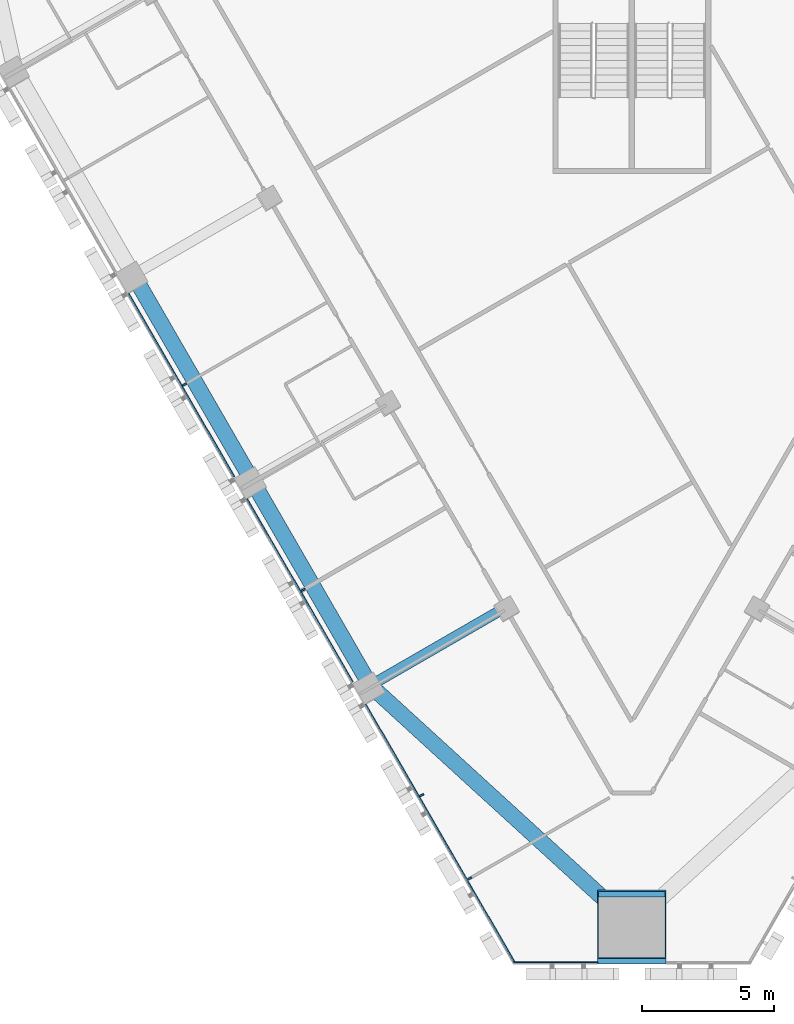
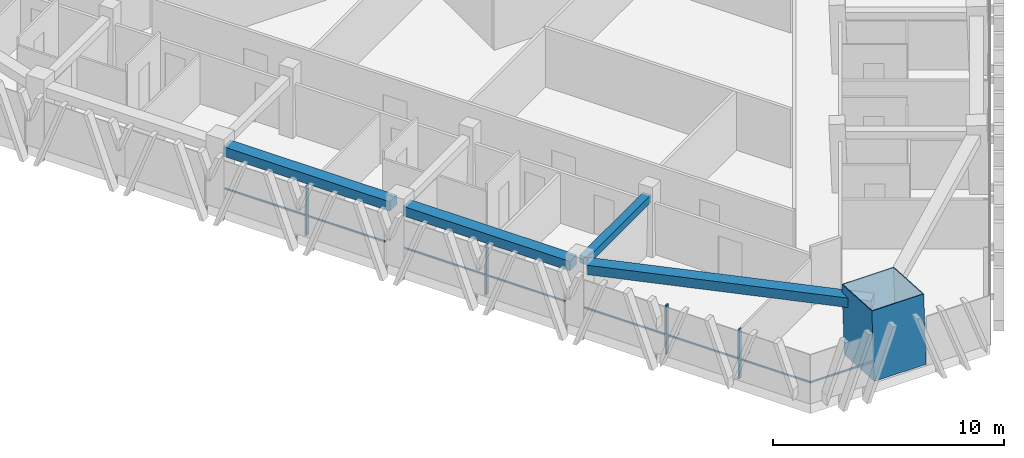
# One storey, part 2 of 16: 9 members, 4 beams, 2 elements without a shape of their own.
"""IFC4 building model written with IfcOpenShell, lengths in metres."""

from ifc_helpers import new_model, si_unit, direction, frame, origin, origin_2d, place, context, subcontext, project, spatial, rectangle, hollow_rectangle, extrude, material, layer, layer_set, material_profile, profile_set, type_object, element, aggregate, save


model = new_model("IFC4")

# Units and contexts
model_context = context("Model", 3, precision=1e-05, world=origin(), true_north=direction((0.0, 1.0)))
body_context = subcontext(model_context, "Body", "Model", "MODEL_VIEW")
ifc_project = project(units=[si_unit("LENGTHUNIT", "METRE"), si_unit("AREAUNIT", "SQUARE_METRE"), si_unit("VOLUMEUNIT", "CUBIC_METRE"), si_unit("PLANEANGLEUNIT", "RADIAN"), si_unit("MASSUNIT", "GRAM", prefix="KILO")], contexts=[model_context])

# Site, building, storey
site_placement = place(None, origin())
site = spatial("IfcSite", under=ifc_project, at=site_placement, CompositionType="ELEMENT")
building_placement = place(site_placement, origin())
building = spatial("IfcBuilding", under=site, at=building_placement, Name="Altiplano Prism Tower", CompositionType="ELEMENT")
storey_placement = place(building_placement, frame((0.0, 0.0, 73.800048828125)))
storey = spatial("IfcBuildingStorey", under=building, at=storey_placement, Name="L18", CompositionType="ELEMENT", Elevation=73.800048828125)

# Curtain wall, members
ifc_material_1 = material(Name="Aluminium and glass", Category="aluminium")
ifc_layer = layer(ifc_material_1, 0.280029296875)
ifc_layer_set = layer_set([ifc_layer], Name="Aluminium and glass")
curtain_wall_type = type_object("IfcCurtainWallType", Name="CW1 typical co-living unitised curtain wall", PredefinedType="NOTDEFINED", material=ifc_layer_set)
curtain_wall_1_placement = place(storey_placement, origin())
curtain_wall_1 = element("IfcCurtainWall", 1, at=curtain_wall_1_placement, inside=storey, type_object=curtain_wall_type, Name="CW1 curtain wall south-west face L18", PredefinedType="NOTDEFINED")
ifc_material_2 = material(Name="Aluminium", Category="aluminium")
ifc_material_profile_1 = material_profile(ifc_material_2, rectangle(XDim=0.179931640625, YDim=0.06494140625, at=origin_2d()), Name="CW1 mullion 65 x 180")
ifc_profile_set_1 = profile_set([ifc_material_profile_1], Name="Aluminium")
member_type_1 = type_object("IfcMemberType", Name="CW1 mullion 65 x 180", PredefinedType="MULLION", material=ifc_profile_set_1)
member_1_placement = place(storey_placement, frame((68.017822265625, 75.39599609375, 0.0), z_axis=(0.0, 0.0, 1.0), x_axis=(0.866025402161, 0.500000002811, 0.0)))
member_1 = element("IfcMember", 2, at=member_1_placement, type_object=member_type_1, Name="CW1 mullion", PredefinedType="MULLION", context=body_context, shape_type="SweptSolid", body=[
    extrude(rectangle(XDim=0.179931640625, YDim=0.06494140625, at=origin_2d()), origin(), (0.0, 0.0, 1.0), 2.599853515625),
])
member_2_placement = place(storey_placement, frame((72.517822265625, 67.601806640625, 0.0), z_axis=(0.0, 0.0, 1.0), x_axis=(0.866025402161, 0.500000002811, 0.0)))
member_2 = element("IfcMember", 3, at=member_2_placement, type_object=member_type_1, Name="CW1 mullion", PredefinedType="MULLION", context=body_context, shape_type="SweptSolid", body=[
    extrude(rectangle(XDim=0.179931640625, YDim=0.06494140625, at=origin_2d()), origin(), (0.0, 0.0, 1.0), 2.599853515625),
])
member_3_placement = place(storey_placement, frame((77.017822265625, 59.8076171875, 0.0), z_axis=(0.0, 0.0, 1.0), x_axis=(0.866025402161, 0.500000002811, 0.0)))
member_3 = element("IfcMember", 4, at=member_3_placement, type_object=member_type_1, Name="CW1 mullion", PredefinedType="MULLION", context=body_context, shape_type="SweptSolid", body=[
    extrude(rectangle(XDim=0.179931640625, YDim=0.06494140625, at=origin_2d()), origin(), (0.0, 0.0, 1.0), 2.599853515625),
])
member_4_placement = place(storey_placement, frame((78.84130859375, 56.649169921875, 0.0), z_axis=(0.0, 0.0, 1.0), x_axis=(0.866025402161, 0.500000002811, 0.0)))
member_4 = element("IfcMember", 5, at=member_4_placement, type_object=member_type_1, Name="CW1 mullion", PredefinedType="MULLION", context=body_context, shape_type="SweptSolid", body=[
    extrude(rectangle(XDim=0.179931640625, YDim=0.06494140625, at=origin_2d()), origin(), (0.0, 0.0, 1.0), 2.599853515625),
])
ifc_material_profile_2 = material_profile(ifc_material_2, rectangle(XDim=0.06005859375, YDim=0.080078125, at=origin_2d()), Name="CW1 transom 80 x 60")
ifc_profile_set_2 = profile_set([ifc_material_profile_2], Name="Aluminium")
member_type_2 = type_object("IfcMemberType", Name="CW1 transom 80 x 60", PredefinedType="USERDEFINED", material=ifc_profile_set_2)
member_5_placement = place(storey_placement, frame((65.889404296875, 78.843017578125, 1.099853515625), z_axis=(0.499976305243, -0.866039083527, 0.0), x_axis=(0.866039083527, 0.499976305243, 0.0)))
member_5 = element("IfcMember", 6, at=member_5_placement, type_object=member_type_2, Name="CW1 transom", ObjectType="TRANSOM", PredefinedType="USERDEFINED", context=body_context, shape_type="SweptSolid", body=[
    extrude(rectangle(XDim=0.06005859375, YDim=0.080078125, at=origin_2d()), origin(), (0.0, 0.0, 1.0), 8.02001953125),
])
member_6_placement = place(storey_placement, frame((70.389404296875, 71.048583984375, 1.099853515625), z_axis=(0.499989486807, -0.866031473494, 0.0), x_axis=(0.866031473494, 0.499989486807, 0.0)))
member_6 = element("IfcMember", 7, at=member_6_placement, type_object=member_type_2, Name="CW1 transom", ObjectType="TRANSOM", PredefinedType="USERDEFINED", context=body_context, shape_type="SweptSolid", body=[
    extrude(rectangle(XDim=0.06005859375, YDim=0.080078125, at=origin_2d()), origin(), (0.0, 0.0, 1.0), 8.019775390625),
])
member_7_placement = place(storey_placement, frame((74.889404296875, 63.25439453125, 1.099853515625), z_axis=(0.500002537869, -0.86602393854, 0.0), x_axis=(0.86602393854, 0.500002537869, 0.0)))
member_7 = element("IfcMember", 8, at=member_7_placement, type_object=member_type_2, Name="CW1 transom", ObjectType="TRANSOM", PredefinedType="USERDEFINED", context=body_context, shape_type="SweptSolid", body=[
    extrude(rectangle(XDim=0.06005859375, YDim=0.080078125, at=origin_2d()), origin(), (0.0, 0.0, 1.0), 11.34326171875),
])
aggregate(curtain_wall_1, [member_1, member_5, member_2, member_6, member_3, member_4, member_7])

# Curtain wall, member
curtain_wall_2_placement = place(storey_placement, origin())
curtain_wall_2 = element("IfcCurtainWall", 9, at=curtain_wall_2_placement, inside=storey, type_object=curtain_wall_type, Name="CW1 curtain wall south chamfer L18", PredefinedType="NOTDEFINED")
member_8_placement = place(storey_placement, frame((80.500244140625, 53.4658203125, 1.099853515625), z_axis=(1.0, 0.0, 0.0), x_axis=(0.0, 1.0, 0.0)))
member_8 = element("IfcMember", 10, at=member_8_placement, type_object=member_type_2, Name="CW1 transom", ObjectType="TRANSOM", PredefinedType="USERDEFINED", context=body_context, shape_type="SweptSolid", body=[
    extrude(rectangle(XDim=0.06005859375, YDim=0.080078125, at=origin_2d()), origin(), (0.0, 0.0, 1.0), 3.19970703125),
])
aggregate(curtain_wall_2, [member_8])

# Beams
ifc_material_3 = material(Name="Concrete C60/75", Category="concrete")
ifc_material_profile_3 = material_profile(ifc_material_3, rectangle(XDim=0.60009765625, YDim=0.5, at=origin_2d()), Name="Edge beam 600x500")
ifc_profile_set_3 = profile_set([ifc_material_profile_3], Name="Concrete C60/75")
beam_type_1 = type_object("IfcBeamType", Name="Edge beam 600x500", PredefinedType="SPANDREL", material=ifc_profile_set_3)
for number, where, z_axis, x_axis, name in (
    (11, (66.238037109375, 79.27587890625, 2.849853515625), (0.499992746786, -0.866029591389, 0.0), (0.866029591389, 0.499992746786, 0.0), "Edge beam P12-P13 L19"),
    (12, (70.738037109375, 71.481689453125, 2.849853515625), (0.499992746786, -0.866029591389, 0.0), (0.866029591389, 0.499992746786, 0.0), "Edge beam P13-P14 L19"),
):
    element("IfcBeam", number, at=place(storey_placement, frame(where, z_axis=z_axis, x_axis=x_axis)), inside=storey, type_object=beam_type_1, Name=name, PredefinedType="SPANDREL", context=body_context, shape_type="SweptSolid", body=[
        extrude(rectangle(XDim=0.60009765625, YDim=0.5, at=origin_2d()), origin(), (0.0, 0.0, 1.0), 8.33984375),
    ])
beam_1_placement = place(storey_placement, frame((75.3330078125, 63.73583984375, 2.849853515625), z_axis=(0.738362567059, -0.674403973569, 0.0), x_axis=(0.674403973569, 0.738362567059, 0.0)))
element("IfcBeam", 13, at=beam_1_placement, inside=storey, type_object=beam_type_1, Name="Edge beam P14-M1 L19", PredefinedType="SPANDREL", context=body_context, shape_type="SweptSolid", body=[
    extrude(rectangle(XDim=0.60009765625, YDim=0.5, at=origin_2d()), origin(), (0.0, 0.0, 1.0), 12.642578125),
])

# Member
ifc_material_4 = material(Name="Steel S460", Category="steel")
ifc_material_profile_4 = material_profile(ifc_material_4, hollow_rectangle(XDim=2.60009765625, YDim=2.60009765625, WallThickness=0.0400390625, at=origin_2d()), Name="Mega column tube 2600")
ifc_profile_set_4 = profile_set([ifc_material_profile_4], Name="Steel S460")
member_type_3 = type_object("IfcMemberType", Name="Mega column tube 2600", PredefinedType="POST", material=ifc_profile_set_4)
member_9_placement = place(storey_placement, frame((85.0, 54.69580078125, 0.0), z_axis=(0.0, 0.058360852261, 0.998295552892), x_axis=(-1.0, 0.0, 0.0)))
element("IfcMember", 14, at=member_9_placement, inside=storey, type_object=member_type_3, Name="Mega column tube M1 L18", PredefinedType="POST", context=body_context, shape_type="SweptSolid", body=[
    extrude(hollow_rectangle(XDim=2.60009765625, YDim=2.60009765625, WallThickness=0.0400390625, at=origin_2d()), origin(), (0.0, 0.0, 1.0), 3.60595703125),
])

# Beam
ifc_material_profile_5 = material_profile(ifc_material_3, rectangle(XDim=0.39990234375, YDim=0.39990234375, at=origin_2d()), Name="Tie beam 400x400")
ifc_profile_set_5 = profile_set([ifc_material_profile_5], Name="Concrete C60/75")
beam_type_2 = type_object("IfcBeamType", Name="Tie beam 400x400", PredefinedType="BEAM", material=ifc_profile_set_5)
beam_2_placement = place(storey_placement, frame((80.11328125, 66.88330078125, 2.89990234375), z_axis=(-0.866012292785, -0.50002270823, 0.0), x_axis=(0.50002270823, -0.866012292785, 0.0)))
element("IfcBeam", 15, at=beam_2_placement, inside=storey, type_object=beam_type_2, Name="Tie beam I14 L19", PredefinedType="BEAM", context=body_context, shape_type="SweptSolid", body=[
    extrude(rectangle(XDim=0.39990234375, YDim=0.39990234375, at=origin_2d()), origin(), (0.0, 0.0, 1.0), 5.489990234375),
])

save(model, "model.ifc")
